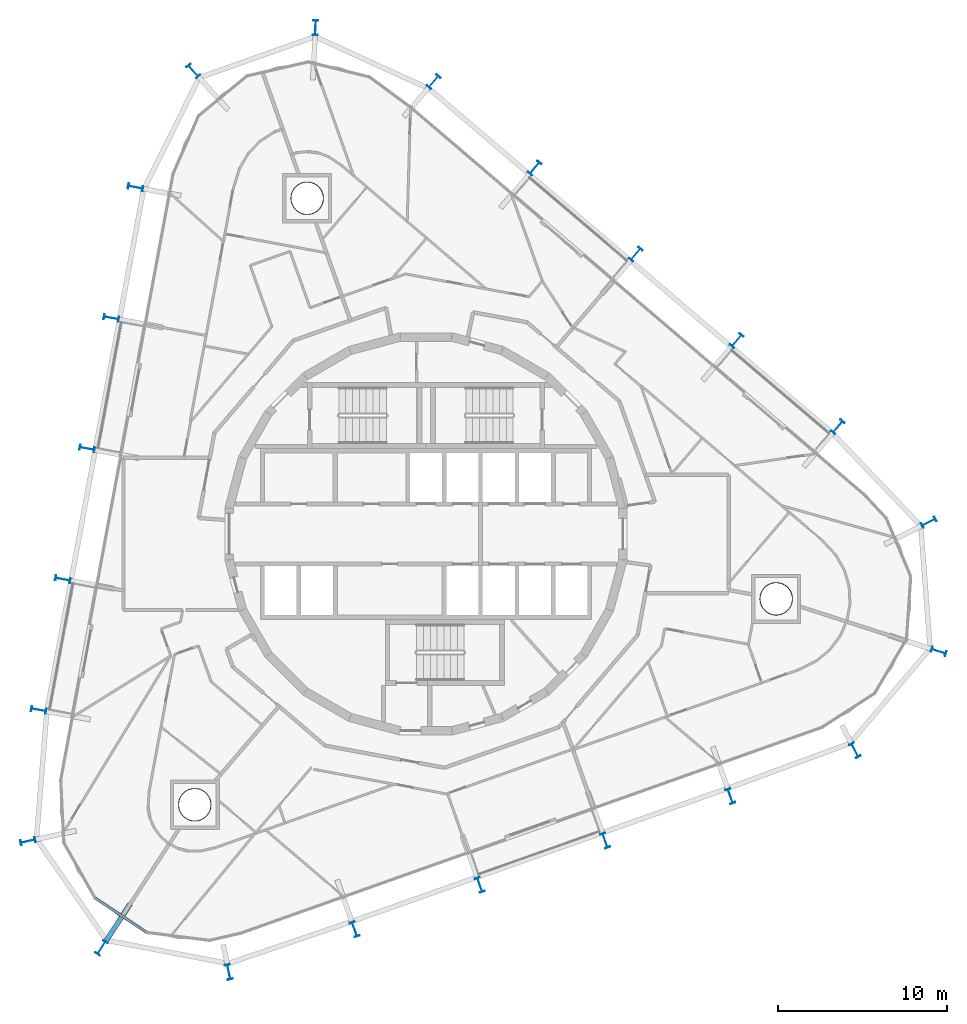
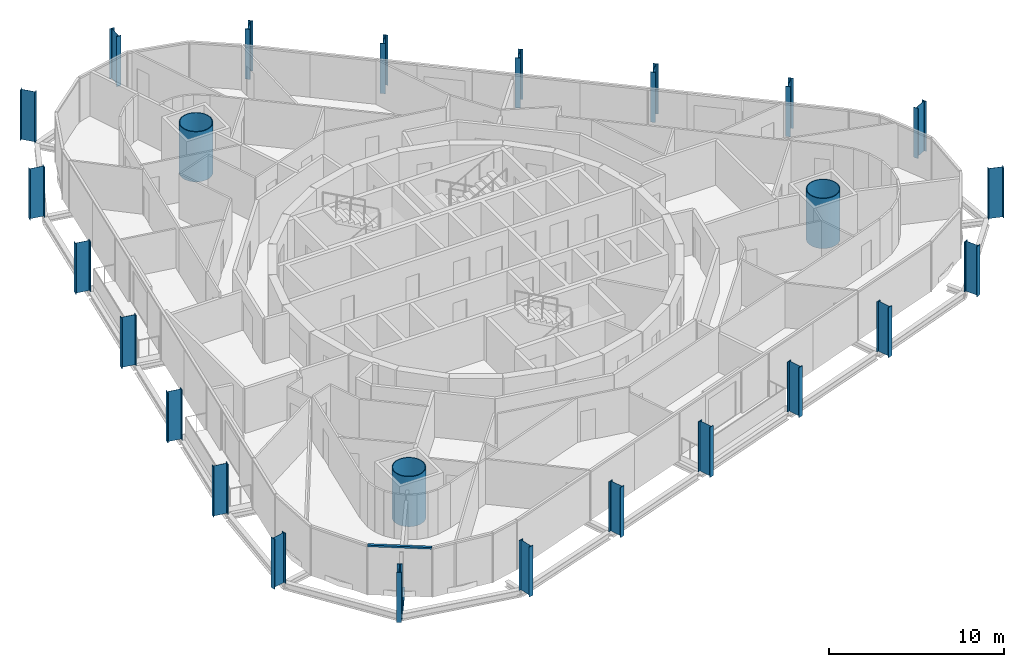
# One storey, part 1 of 17: 25 columns, 1 beam, 1 member, 1 element without a shape of its own.
"""IFC4 building model written with IfcOpenShell, lengths in metres."""

from ifc_helpers import new_model, si_unit, direction, frame, origin, origin_2d, place, context, subcontext, project, spatial, rectangle, hollow_circle, i_section, extrude, material, layer, layer_set, material_profile, profile_set, type_object, element, aggregate, save


model = new_model("IFC4")

# Units and contexts
model_context = context("Model", 3, precision=1e-05, world=origin(), true_north=direction((0.0, 1.0)))
body_context = subcontext(model_context, "Body", "Model", "MODEL_VIEW")
ifc_project = project(units=[si_unit("LENGTHUNIT", "METRE"), si_unit("AREAUNIT", "SQUARE_METRE"), si_unit("VOLUMEUNIT", "CUBIC_METRE"), si_unit("PLANEANGLEUNIT", "RADIAN"), si_unit("MASSUNIT", "GRAM", prefix="KILO")], contexts=[model_context])

# Site, building, storey
site_placement = place(None, origin())
site = spatial("IfcSite", under=ifc_project, at=site_placement, CompositionType="ELEMENT")
building_placement = place(site_placement, origin())
building = spatial("IfcBuilding", under=site, at=building_placement, Name="Spindle Arch Residences", CompositionType="ELEMENT")
storey_placement = place(building_placement, frame((0.0, 0.0, 169.199951171875)))
storey = spatial("IfcBuildingStorey", under=building, at=storey_placement, Name="L42", CompositionType="ELEMENT", Elevation=169.199951171875)

# Columns
ifc_material_1 = material(Name="Steel S460ML, intumescent coating R 240", Category="steel")
ifc_material_profile_1 = material_profile(ifc_material_1, i_section(OverallWidth=0.300048828125, OverallDepth=0.89990234375, WebThickness=0.0185546875, FlangeThickness=0.034912109375, FilletRadius=0.030029296875, at=origin_2d()), Name="HEB 900")
ifc_profile_set_1 = profile_set([ifc_material_profile_1], Name="Steel S460ML, intumescent coating R 240")
column_type_1 = type_object("IfcColumnType", Name="Exoskeleton post HEB 900", PredefinedType="COLUMN", material=ifc_profile_set_1)
for number, where, z_axis, x_axis, name in (
    (1, (10.592041015625, -18.1376953125, -0.3798828125), (0.0, 0.0, 1.0), (-0.942641392079, -0.333807138839, 0.0), "Exoskeleton post 1"),
    (2, (18.001220703125, -15.513916015625, -0.3798828125), (0.0, 0.0, 1.0), (-0.942641392079, -0.333807138839, 0.0), "Exoskeleton post 2"),
    (3, (25.37353515625, -12.79931640625, -0.3798828125), (0.0, 0.0, 1.0), (-0.887176487998, -0.461430253823, 0.0), "Exoskeleton post 3"),
    (4, (30.322509765625, -6.948486328125, -0.3798828125), (0.0, 0.0, 1.0), (-0.307880057726, -0.95142517838, 0.0), "Exoskeleton post 4"),
    (5, (29.739501953125, 0.6923828125, -0.3798828125), (0.0, 0.0, 1.0), (0.448657012727, -0.893704025352, 0.0), "Exoskeleton post 5"),
    (6, (24.357666015625, 6.330810546875, -0.3798828125), (0.0, 0.0, 1.0), (0.76040600398, -0.649448003393, 0.0), "Exoskeleton post 6"),
    (7, (18.380615234375, 11.435546875, -0.3798828125), (0.0, 0.0, 1.0), (0.76040600398, -0.649448003393, 0.0), "Exoskeleton post 7"),
    (8, (12.40380859375, 16.540283203125, -0.3798828125), (0.0, 0.0, 1.0), (0.76040600398, -0.649448003393, 0.0), "Exoskeleton post 8"),
    (9, (6.427001953125, 21.64501953125, -0.3798828125), (0.0, 0.0, 1.0), (0.76040600398, -0.649448003393, 0.0), "Exoskeleton post 9"),
    (10, (0.4501953125, 26.74951171875, -0.3798828125), (0.0, 0.0, 1.0), (0.76040600398, -0.649448003393, 0.0), "Exoskeleton post 10"),
    (11, (-6.53955078125, 29.945556640625, -0.3798828125), (0.0, 0.0, 1.0), (0.998810817099, -0.048753991075, 0.0), "Exoskeleton post 11"),
    (12, (-13.76318359375, 27.387451171875, -0.3798828125), (0.0, 0.0, 1.0), (0.745539941806, 0.666460947972, 0.0), "Exoskeleton post 12"),
    (13, (-17.183837890625, 20.505126953125, -0.3798828125), (0.0, 0.0, 1.0), (0.182235967681, 0.983254825609, 0.0), "Exoskeleton post 13"),
    (14, (-18.6162109375, 12.776611328125, -0.3798828125), (0.0, 0.0, 1.0), (0.182235967681, 0.983254825609, 0.0), "Exoskeleton post 14"),
    (15, (-20.048583984375, 5.048095703125, -0.3798828125), (0.0, 0.0, 1.0), (0.182235967681, 0.983254825609, 0.0), "Exoskeleton post 15"),
    (16, (-21.481201171875, -2.680419921875, -0.3798828125), (0.0, 0.0, 1.0), (0.182235967681, 0.983254825609, 0.0), "Exoskeleton post 16"),
    (17, (-22.91357421875, -10.40869140625, -0.3798828125), (0.0, 0.0, 1.0), (0.182235967681, 0.983254825609, 0.0), "Exoskeleton post 17"),
    (18, (-23.5478515625, -18.177490234375, -0.3798828125), (0.0, 0.0, 1.0), (-0.213754108667, 0.976887496607, 0.0), "Exoskeleton post 18"),
    (19, (-19.192138671875, -24.482666015625, -0.3798828125), (0.0, 0.0, 1.0), (-0.838019022948, 0.545641014933, 0.0), "Exoskeleton post 19"),
    (20, (-11.6640625, -25.9150390625, -0.3798828125), (0.0, 0.0, 1.0), (-0.979853205488, -0.199719041891, 0.0), "Exoskeleton post 20"),
    (21, (-4.226318359375, -23.385009765625, -0.3798828125), (0.0, 0.0, 1.0), (-0.942641392079, -0.333807138839, 0.0), "Exoskeleton post 21"),
    (22, (3.182861328125, -20.76123046875, -0.3798828125), (0.0, 0.0, 1.0), (-0.942641392079, -0.333807138839, 0.0), "Exoskeleton post 22"),
):
    element("IfcColumn", number, at=place(storey_placement, frame(where, z_axis=z_axis, x_axis=x_axis)), inside=storey, type_object=column_type_1, Name=name, PredefinedType="COLUMN", context=body_context, shape_type="SweptSolid", body=[
        extrude(i_section(OverallWidth=0.300048828125, OverallDepth=0.89990234375, WebThickness=0.0185546875, FlangeThickness=0.034912109375, FilletRadius=0.030029296875, at=origin_2d()), origin(), (0.0, 0.0, 1.0), 3.5),
    ])
ifc_material_2 = material(Name="Concrete C50/60 filled steel tube S460ML, intumescent coating R 240", Category="concrete")
ifc_material_profile_2 = material_profile(ifc_material_2, hollow_circle(Radius=0.97509765625, WallThickness=0.044921875, at=origin_2d()), Name="CFT D1950x45")
ifc_profile_set_2 = profile_set([ifc_material_profile_2], Name="Concrete C50/60 filled steel tube S460ML, intumescent coating R 240")
column_type_2 = type_object("IfcColumnType", Name="Mega-column CFT D1950x45", PredefinedType="COLUMN", material=ifc_profile_set_2)
for number, where, z_axis, x_axis, name in (
    (23, (20.713134765625, -3.839111328125, -0.3798828125), (0.0, 0.0, 1.0), (1.0, 0.0, 0.0), "Mega-column 1"),
    (24, (-7.031982421875, 19.857666015625, -0.3798828125), (0.0, 0.0, 1.0), (1.0, 0.0, 0.0), "Mega-column 2"),
    (25, (-13.68115234375, -16.0185546875, -0.3798828125), (0.0, 0.0, 1.0), (1.0, 0.0, 0.0), "Mega-column 3"),
):
    element("IfcColumn", number, at=place(storey_placement, frame(where, z_axis=z_axis, x_axis=x_axis)), inside=storey, type_object=column_type_2, Name=name, PredefinedType="COLUMN", context=body_context, shape_type="SweptSolid", body=[
        extrude(hollow_circle(Radius=0.97509765625, WallThickness=0.044921875, at=origin_2d()), origin(), (0.0, 0.0, 1.0), 3.5),
    ])

# Curtain wall, member
ifc_material_3 = material(Name="Aluminium bronze unitised frame with tinted glass", Category="aluminium")
ifc_layer = layer(ifc_material_3, 0.159912109375)
ifc_layer_set = layer_set([ifc_layer], Name="CW-D corner wall on the fillet arcs")
curtain_wall_type = type_object("IfcCurtainWallType", Name="CW-D corner wall on the fillet arcs", PredefinedType="NOTDEFINED", material=ifc_layer_set)
curtain_wall_placement = place(storey_placement, origin())
curtain_wall = element("IfcCurtainWall", 26, at=curtain_wall_placement, inside=storey, type_object=curtain_wall_type, Name="CW-D L42 run 5", PredefinedType="NOTDEFINED")
ifc_material_4 = material(Name="Aluminium bronze anodised transom", Category="aluminium")
ifc_material_profile_3 = material_profile(ifc_material_4, rectangle(XDim=0.159912109375, YDim=0.1201171875, at=origin_2d()), Name="TR 120x160")
ifc_profile_set_3 = profile_set([ifc_material_profile_3], Name="Aluminium bronze anodised transom")
member_type = type_object("IfcMemberType", Name="Bronze transom 120x160", PredefinedType="USERDEFINED", material=ifc_profile_set_3)
member_placement = place(storey_placement, frame((-19.58154296875, -21.528564453125, 3.06005859375), z_axis=(0.830623700005, -0.556834148549, 0.0), x_axis=(0.556834148549, 0.830623700005, 0.0)))
member = element("IfcMember", 27, at=member_placement, type_object=member_type, Name="CW-D transom 03", ObjectType="TRANSOM", PredefinedType="USERDEFINED", context=body_context, shape_type="SweptSolid", body=[
    extrude(rectangle(XDim=0.159912109375, YDim=0.1201171875, at=origin_2d()), origin(), (0.0, 0.0, 1.0), 3.666748046875),
])
aggregate(curtain_wall, [member])

# Beam
ifc_material_5 = material(Name="Steel S460ML, intumescent coating R 120", Category="steel")
ifc_material_profile_4 = material_profile(ifc_material_5, i_section(OverallWidth=0.300048828125, OverallDepth=0.389892578125, WebThickness=0.010986328125, FlangeThickness=0.01904296875, FilletRadius=0.027099609375, at=origin_2d()), Name="HEA 400")
ifc_profile_set_4 = profile_set([ifc_material_profile_4], Name="Steel S460ML, intumescent coating R 120")
beam_type = type_object("IfcBeamType", Name="Floor outrigger HEA 400", PredefinedType="BEAM", material=ifc_profile_set_4)
beam_placement = place(storey_placement, frame((-18.94677734375, -24.10546875, -0.574951171875), z_axis=(0.545674675997, 0.837997104992, 0.0), x_axis=(-0.837997104992, 0.545674675997, 0.0)))
element("IfcBeam", 28, at=beam_placement, inside=storey, type_object=beam_type, Name="Floor outrigger 19", PredefinedType="BEAM", context=body_context, shape_type="SweptSolid", body=[
    extrude(i_section(OverallWidth=0.300048828125, OverallDepth=0.389892578125, WebThickness=0.010986328125, FlangeThickness=0.01904296875, FilletRadius=0.027099609375, at=origin_2d()), origin(), (0.0, 0.0, 1.0), 2.64990234375),
])

save(model, "model.ifc")
